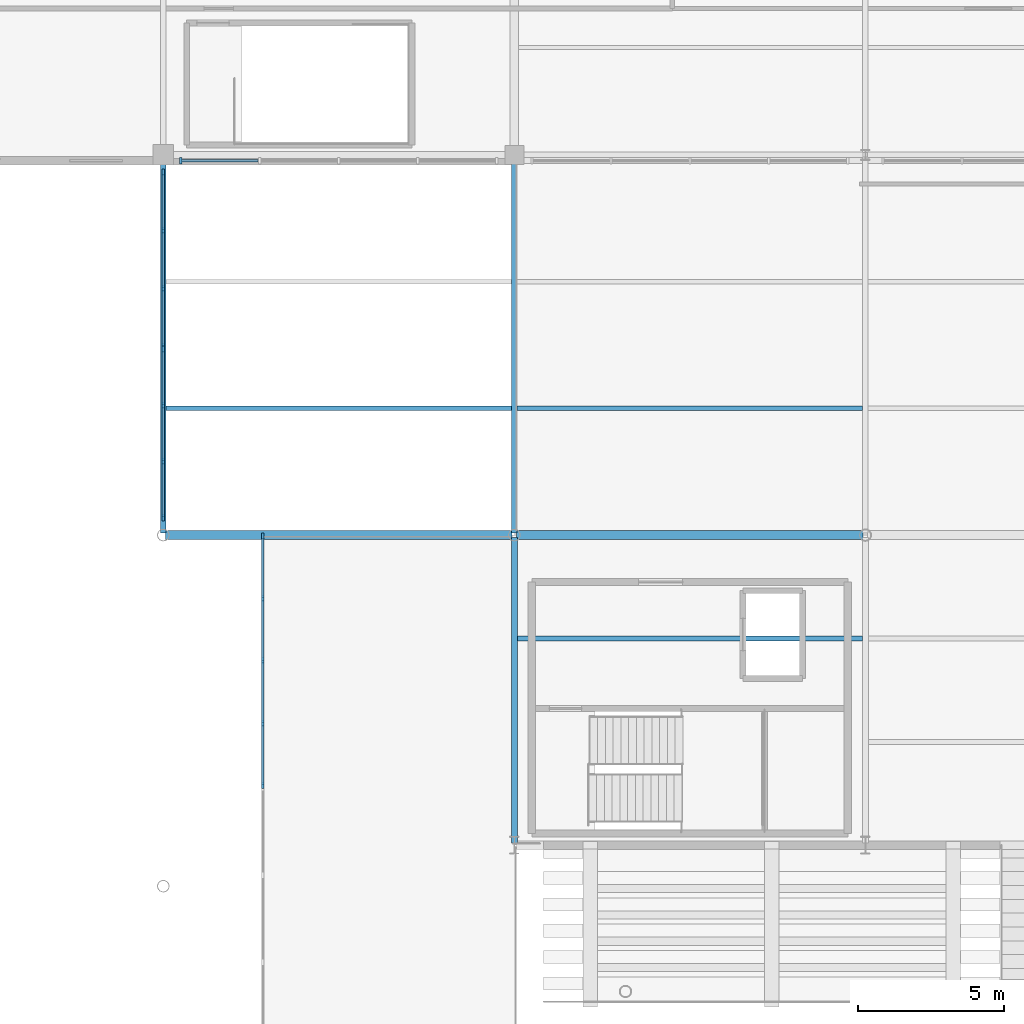
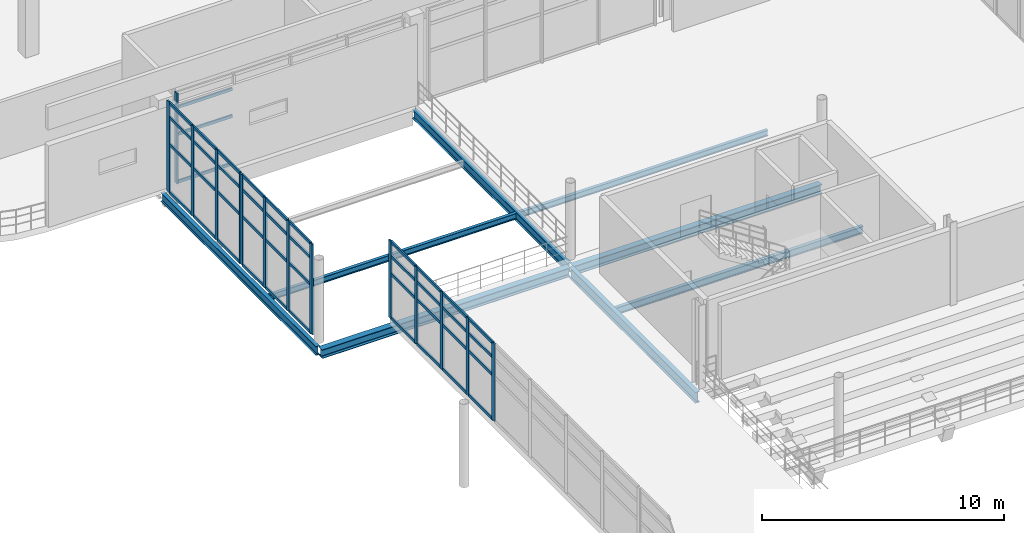
# One storey, part 36 of 89: 57 members, 8 beams, 4 elements without a shape of their own.
"""IFC4 building model written with IfcOpenShell, lengths in metres."""

from ifc_helpers import new_model, si_unit, direction, frame, origin, origin_2d, place, context, subcontext, project, spatial, rectangle, i_section, extrude, material, material_profile, profile_set, type_object, element, aggregate, save


model = new_model("IFC4")

# Units and contexts
model_context = context("Model", 3, precision=1e-05, world=origin(), true_north=direction((0.0, 1.0)))
body_context = subcontext(model_context, "Body", "Model", "MODEL_VIEW")
ifc_project = project(units=[si_unit("LENGTHUNIT", "METRE"), si_unit("AREAUNIT", "SQUARE_METRE"), si_unit("VOLUMEUNIT", "CUBIC_METRE"), si_unit("PLANEANGLEUNIT", "RADIAN"), si_unit("MASSUNIT", "GRAM", prefix="KILO"), si_unit("THERMODYNAMICTEMPERATUREUNIT", "KELVIN"), si_unit("POWERUNIT", "WATT")], contexts=[model_context])

# Site, building, storey
site_placement = place(None, origin())
site = spatial("IfcSite", under=ifc_project, at=site_placement, CompositionType="ELEMENT")
building_placement = place(site_placement, origin())
building = spatial("IfcBuilding", under=site, at=building_placement, Name="Solmara Park Aquatics Centre", CompositionType="ELEMENT")
storey_placement = place(building_placement, frame((0.0, 0.0, 5.39990234375)))
storey = spatial("IfcBuildingStorey", under=building, at=storey_placement, Name="L01", CompositionType="ELEMENT", Elevation=5.39990234375)

# Curtain wall, members
ifc_material_1 = material(Name="Anodised Aluminium Curtain Wall Framing", Category="aluminium")
curtain_wall_type = type_object("IfcCurtainWallType", Name="ARC-CW-SYS05", PredefinedType="USERDEFINED", material=ifc_material_1)
curtain_wall_1_placement = place(storey_placement, origin())
curtain_wall_1 = element("IfcCurtainWall", 1, at=curtain_wall_1_placement, inside=storey, type_object=curtain_wall_type, Name="Curtain Wall CW-020", ObjectType="CURTAIN WALL", PredefinedType="USERDEFINED")
ifc_material_2 = material(Name="Anodised Aluminium Alloy 6063-T6", Category="aluminium")
ifc_material_profile_1 = material_profile(ifc_material_2, rectangle(XDim=0.074951171875, YDim=0.219970703125, at=origin_2d()), Name="ALU MULLION 75x220")
ifc_profile_set_1 = profile_set([ifc_material_profile_1], Name="Anodised Aluminium Alloy 6063-T6")
member_type_1 = type_object("IfcMemberType", Name="ARC-CWM-75x220", PredefinedType="MULLION", material=ifc_profile_set_1)
member_1_placement = place(storey_placement, frame((16.0, 64.0400390625, 0.0), z_axis=(0.0, 0.0, 1.0), x_axis=(1.0, 0.0, 0.0)))
member_1 = element("IfcMember", 2, at=member_1_placement, type_object=member_type_1, Name="CW-020 mullion 1", PredefinedType="MULLION", context=body_context, shape_type="SweptSolid", body=[
    extrude(rectangle(XDim=0.074951171875, YDim=0.219970703125, at=origin_2d()), origin(), (0.0, 0.0, 1.0), 3.900146484375),
])
member_2_placement = place(storey_placement, frame((16.0, 66.169921875, 0.0), z_axis=(0.0, 0.0, 1.0), x_axis=(1.0, 0.0, 0.0)))
member_2 = element("IfcMember", 3, at=member_2_placement, type_object=member_type_1, Name="CW-020 mullion 2", PredefinedType="MULLION", context=body_context, shape_type="SweptSolid", body=[
    extrude(rectangle(XDim=0.074951171875, YDim=0.219970703125, at=origin_2d()), origin(), (0.0, 0.0, 1.0), 3.900146484375),
])
member_3_placement = place(storey_placement, frame((16.0, 68.300048828125, 0.0), z_axis=(0.0, 0.0, 1.0), x_axis=(1.0, 0.0, 0.0)))
member_3 = element("IfcMember", 4, at=member_3_placement, type_object=member_type_1, Name="CW-020 mullion 3", PredefinedType="MULLION", context=body_context, shape_type="SweptSolid", body=[
    extrude(rectangle(XDim=0.074951171875, YDim=0.219970703125, at=origin_2d()), origin(), (0.0, 0.0, 1.0), 3.900146484375),
])
member_4_placement = place(storey_placement, frame((16.0, 70.429931640625, 0.0), z_axis=(0.0, 0.0, 1.0), x_axis=(1.0, 0.0, 0.0)))
member_4 = element("IfcMember", 5, at=member_4_placement, type_object=member_type_1, Name="CW-020 mullion 4", PredefinedType="MULLION", context=body_context, shape_type="SweptSolid", body=[
    extrude(rectangle(XDim=0.074951171875, YDim=0.219970703125, at=origin_2d()), origin(), (0.0, 0.0, 1.0), 3.900146484375),
])
member_5_placement = place(storey_placement, frame((16.0, 72.56005859375, 0.0), z_axis=(0.0, 0.0, 1.0), x_axis=(1.0, 0.0, 0.0)))
member_5 = element("IfcMember", 6, at=member_5_placement, type_object=member_type_1, Name="CW-020 mullion 5", PredefinedType="MULLION", context=body_context, shape_type="SweptSolid", body=[
    extrude(rectangle(XDim=0.074951171875, YDim=0.219970703125, at=origin_2d()), origin(), (0.0, 0.0, 1.0), 3.900146484375),
])

curtain_wall_2_placement = place(storey_placement, origin())
curtain_wall_2 = element("IfcCurtainWall", 7, at=curtain_wall_2_placement, inside=storey, type_object=curtain_wall_type, Name="Curtain Wall CW-099", ObjectType="CURTAIN WALL", PredefinedType="USERDEFINED")
member_6_placement = place(storey_placement, frame((12.60009765625, 73.199951171875, 0.0), z_axis=(0.0, 0.0, 1.0), x_axis=(1.0, 0.0, 0.0)))
member_6 = element("IfcMember", 8, at=member_6_placement, type_object=member_type_1, Name="CW-099 mullion 1", PredefinedType="MULLION", context=body_context, shape_type="SweptSolid", body=[
    extrude(rectangle(XDim=0.074951171875, YDim=0.219970703125, at=origin_2d()), origin(), (0.0, 0.0, 1.0), 4.56005859375),
])
member_7_placement = place(storey_placement, frame((12.60009765625, 75.1201171875, 0.0), z_axis=(0.0, 0.0, 1.0), x_axis=(1.0, 0.0, 0.0)))
member_7 = element("IfcMember", 9, at=member_7_placement, type_object=member_type_1, Name="CW-099 mullion 2", PredefinedType="MULLION", context=body_context, shape_type="SweptSolid", body=[
    extrude(rectangle(XDim=0.074951171875, YDim=0.219970703125, at=origin_2d()), origin(), (0.0, 0.0, 1.0), 4.56005859375),
])
member_8_placement = place(storey_placement, frame((12.60009765625, 77.0400390625, 0.0), z_axis=(0.0, 0.0, 1.0), x_axis=(1.0, 0.0, 0.0)))
member_8 = element("IfcMember", 10, at=member_8_placement, type_object=member_type_1, Name="CW-099 mullion 3", PredefinedType="MULLION", context=body_context, shape_type="SweptSolid", body=[
    extrude(rectangle(XDim=0.074951171875, YDim=0.219970703125, at=origin_2d()), origin(), (0.0, 0.0, 1.0), 4.56005859375),
])
member_9_placement = place(storey_placement, frame((12.60009765625, 78.9599609375, 0.0), z_axis=(0.0, 0.0, 1.0), x_axis=(1.0, 0.0, 0.0)))
member_9 = element("IfcMember", 11, at=member_9_placement, type_object=member_type_1, Name="CW-099 mullion 4", PredefinedType="MULLION", context=body_context, shape_type="SweptSolid", body=[
    extrude(rectangle(XDim=0.074951171875, YDim=0.219970703125, at=origin_2d()), origin(), (0.0, 0.0, 1.0), 4.56005859375),
])

curtain_wall_3_placement = place(storey_placement, origin())
curtain_wall_3 = element("IfcCurtainWall", 12, at=curtain_wall_3_placement, inside=storey, type_object=curtain_wall_type, Name="Curtain Wall CW-103", ObjectType="CURTAIN WALL", PredefinedType="USERDEFINED")
member_10_placement = place(storey_placement, frame((12.60009765625, 79.0400390625, 0.0), z_axis=(0.0, 0.0, 1.0), x_axis=(1.0, 0.0, 0.0)))
member_10 = element("IfcMember", 13, at=member_10_placement, type_object=member_type_1, Name="CW-103 mullion 1", PredefinedType="MULLION", context=body_context, shape_type="SweptSolid", body=[
    extrude(rectangle(XDim=0.074951171875, YDim=0.219970703125, at=origin_2d()), origin(), (0.0, 0.0, 1.0), 4.56005859375),
])
member_11_placement = place(storey_placement, frame((12.60009765625, 81.026611328125, 0.0), z_axis=(0.0, 0.0, 1.0), x_axis=(1.0, 0.0, 0.0)))
member_11 = element("IfcMember", 14, at=member_11_placement, type_object=member_type_1, Name="CW-103 mullion 2", PredefinedType="MULLION", context=body_context, shape_type="SweptSolid", body=[
    extrude(rectangle(XDim=0.074951171875, YDim=0.219970703125, at=origin_2d()), origin(), (0.0, 0.0, 1.0), 4.56005859375),
])
member_12_placement = place(storey_placement, frame((12.60009765625, 83.01318359375, 0.0), z_axis=(0.0, 0.0, 1.0), x_axis=(1.0, 0.0, 0.0)))
member_12 = element("IfcMember", 15, at=member_12_placement, type_object=member_type_1, Name="CW-103 mullion 3", PredefinedType="MULLION", context=body_context, shape_type="SweptSolid", body=[
    extrude(rectangle(XDim=0.074951171875, YDim=0.219970703125, at=origin_2d()), origin(), (0.0, 0.0, 1.0), 4.56005859375),
])
member_13_placement = place(storey_placement, frame((12.60009765625, 85.0, 0.0), z_axis=(0.0, 0.0, 1.0), x_axis=(1.0, 0.0, 0.0)))
member_13 = element("IfcMember", 16, at=member_13_placement, type_object=member_type_1, Name="CW-103 mullion 4", PredefinedType="MULLION", context=body_context, shape_type="SweptSolid", body=[
    extrude(rectangle(XDim=0.074951171875, YDim=0.219970703125, at=origin_2d()), origin(), (0.0, 0.0, 1.0), 4.56005859375),
])

# Curtain wall, member
curtain_wall_4_placement = place(storey_placement, origin())
curtain_wall_4 = element("IfcCurtainWall", 17, at=curtain_wall_4_placement, inside=storey, type_object=curtain_wall_type, Name="Curtain Wall CW-104", ObjectType="CURTAIN WALL", PredefinedType="USERDEFINED")
member_14_placement = place(storey_placement, frame((13.199951171875, 85.39990234375, 0.0), z_axis=(0.0, 0.0, 1.0), x_axis=(1.0, 0.0, 0.0)))
member_14 = element("IfcMember", 18, at=member_14_placement, type_object=member_type_1, Name="CW-104 mullion 1", PredefinedType="MULLION", context=body_context, shape_type="SweptSolid", body=[
    extrude(rectangle(XDim=0.074951171875, YDim=0.219970703125, at=origin_2d()), origin(), (0.0, 0.0, 1.0), 4.56005859375),
])

# Member
ifc_material_profile_2 = material_profile(ifc_material_2, rectangle(XDim=0.074951171875, YDim=0.14990234375, at=origin_2d()), Name="ALU TRANSOM 75x150")
ifc_profile_set_2 = profile_set([ifc_material_profile_2], Name="Anodised Aluminium Alloy 6063-T6")
member_type_2 = type_object("IfcMemberType", Name="ARC-CWT-75x150", PredefinedType="USERDEFINED", material=ifc_profile_set_2)
member_15_placement = place(storey_placement, frame((16.0, 64.06005859375, 0.0400390625), z_axis=(0.0, 1.0, 0.0), x_axis=(-1.0, 0.0, 0.0)))
member_15 = element("IfcMember", 19, at=member_15_placement, type_object=member_type_2, Name="CW-020 transom 1", ObjectType="TRANSOM", PredefinedType="USERDEFINED", context=body_context, shape_type="SweptSolid", body=[
    extrude(rectangle(XDim=0.074951171875, YDim=0.14990234375, at=origin_2d()), origin(), (0.0, 0.0, 1.0), 2.050048828125),
])

member_16_placement = place(storey_placement, frame((16.0, 64.06005859375, 2.26220703125), z_axis=(0.0, 1.0, 0.0), x_axis=(-1.0, 0.0, 0.0)))
member_16 = element("IfcMember", 20, at=member_16_placement, type_object=member_type_2, Name="CW-020 transom 2", ObjectType="TRANSOM", PredefinedType="USERDEFINED", context=body_context, shape_type="SweptSolid", body=[
    extrude(rectangle(XDim=0.074951171875, YDim=0.14990234375, at=origin_2d()), origin(), (0.0, 0.0, 1.0), 2.050048828125),
])

member_17_placement = place(storey_placement, frame((16.0, 64.06005859375, 3.150146484375), z_axis=(0.0, 1.0, 0.0), x_axis=(-1.0, 0.0, 0.0)))
member_17 = element("IfcMember", 21, at=member_17_placement, type_object=member_type_2, Name="CW-020 transom 3", ObjectType="TRANSOM", PredefinedType="USERDEFINED", context=body_context, shape_type="SweptSolid", body=[
    extrude(rectangle(XDim=0.074951171875, YDim=0.14990234375, at=origin_2d()), origin(), (0.0, 0.0, 1.0), 2.050048828125),
])

member_18_placement = place(storey_placement, frame((16.0, 64.06005859375, 3.860107421875), z_axis=(0.0, 1.0, 0.0), x_axis=(-1.0, 0.0, 0.0)))
member_18 = element("IfcMember", 22, at=member_18_placement, type_object=member_type_2, Name="CW-020 transom 4", ObjectType="TRANSOM", PredefinedType="USERDEFINED", context=body_context, shape_type="SweptSolid", body=[
    extrude(rectangle(XDim=0.074951171875, YDim=0.14990234375, at=origin_2d()), origin(), (0.0, 0.0, 1.0), 2.050048828125),
])

member_19_placement = place(storey_placement, frame((16.0, 66.18994140625, 0.0400390625), z_axis=(0.0, 1.0, 0.0), x_axis=(-1.0, 0.0, 0.0)))
member_19 = element("IfcMember", 23, at=member_19_placement, type_object=member_type_2, Name="CW-020 transom 5", ObjectType="TRANSOM", PredefinedType="USERDEFINED", context=body_context, shape_type="SweptSolid", body=[
    extrude(rectangle(XDim=0.074951171875, YDim=0.14990234375, at=origin_2d()), origin(), (0.0, 0.0, 1.0), 2.050048828125),
])

member_20_placement = place(storey_placement, frame((16.0, 66.18994140625, 2.26220703125), z_axis=(0.0, 1.0, 0.0), x_axis=(-1.0, 0.0, 0.0)))
member_20 = element("IfcMember", 24, at=member_20_placement, type_object=member_type_2, Name="CW-020 transom 6", ObjectType="TRANSOM", PredefinedType="USERDEFINED", context=body_context, shape_type="SweptSolid", body=[
    extrude(rectangle(XDim=0.074951171875, YDim=0.14990234375, at=origin_2d()), origin(), (0.0, 0.0, 1.0), 2.050048828125),
])

member_21_placement = place(storey_placement, frame((16.0, 66.18994140625, 3.150146484375), z_axis=(0.0, 1.0, 0.0), x_axis=(-1.0, 0.0, 0.0)))
member_21 = element("IfcMember", 25, at=member_21_placement, type_object=member_type_2, Name="CW-020 transom 7", ObjectType="TRANSOM", PredefinedType="USERDEFINED", context=body_context, shape_type="SweptSolid", body=[
    extrude(rectangle(XDim=0.074951171875, YDim=0.14990234375, at=origin_2d()), origin(), (0.0, 0.0, 1.0), 2.050048828125),
])

member_22_placement = place(storey_placement, frame((16.0, 66.18994140625, 3.860107421875), z_axis=(0.0, 1.0, 0.0), x_axis=(-1.0, 0.0, 0.0)))
member_22 = element("IfcMember", 26, at=member_22_placement, type_object=member_type_2, Name="CW-020 transom 8", ObjectType="TRANSOM", PredefinedType="USERDEFINED", context=body_context, shape_type="SweptSolid", body=[
    extrude(rectangle(XDim=0.074951171875, YDim=0.14990234375, at=origin_2d()), origin(), (0.0, 0.0, 1.0), 2.050048828125),
])

member_23_placement = place(storey_placement, frame((16.0, 68.320068359375, 0.0400390625), z_axis=(0.0, 1.0, 0.0), x_axis=(-1.0, 0.0, 0.0)))
member_23 = element("IfcMember", 27, at=member_23_placement, type_object=member_type_2, Name="CW-020 transom 9", ObjectType="TRANSOM", PredefinedType="USERDEFINED", context=body_context, shape_type="SweptSolid", body=[
    extrude(rectangle(XDim=0.074951171875, YDim=0.14990234375, at=origin_2d()), origin(), (0.0, 0.0, 1.0), 2.050048828125),
])

member_24_placement = place(storey_placement, frame((16.0, 68.320068359375, 2.26220703125), z_axis=(0.0, 1.0, 0.0), x_axis=(-1.0, 0.0, 0.0)))
member_24 = element("IfcMember", 28, at=member_24_placement, type_object=member_type_2, Name="CW-020 transom 10", ObjectType="TRANSOM", PredefinedType="USERDEFINED", context=body_context, shape_type="SweptSolid", body=[
    extrude(rectangle(XDim=0.074951171875, YDim=0.14990234375, at=origin_2d()), origin(), (0.0, 0.0, 1.0), 2.050048828125),
])

member_25_placement = place(storey_placement, frame((16.0, 68.320068359375, 3.150146484375), z_axis=(0.0, 1.0, 0.0), x_axis=(-1.0, 0.0, 0.0)))
member_25 = element("IfcMember", 29, at=member_25_placement, type_object=member_type_2, Name="CW-020 transom 11", ObjectType="TRANSOM", PredefinedType="USERDEFINED", context=body_context, shape_type="SweptSolid", body=[
    extrude(rectangle(XDim=0.074951171875, YDim=0.14990234375, at=origin_2d()), origin(), (0.0, 0.0, 1.0), 2.050048828125),
])

member_26_placement = place(storey_placement, frame((16.0, 68.320068359375, 3.860107421875), z_axis=(0.0, 1.0, 0.0), x_axis=(-1.0, 0.0, 0.0)))
member_26 = element("IfcMember", 30, at=member_26_placement, type_object=member_type_2, Name="CW-020 transom 12", ObjectType="TRANSOM", PredefinedType="USERDEFINED", context=body_context, shape_type="SweptSolid", body=[
    extrude(rectangle(XDim=0.074951171875, YDim=0.14990234375, at=origin_2d()), origin(), (0.0, 0.0, 1.0), 2.050048828125),
])

member_27_placement = place(storey_placement, frame((16.0, 70.449951171875, 0.0400390625), z_axis=(0.0, 1.0, 0.0), x_axis=(-1.0, 0.0, 0.0)))
member_27 = element("IfcMember", 31, at=member_27_placement, type_object=member_type_2, Name="CW-020 transom 13", ObjectType="TRANSOM", PredefinedType="USERDEFINED", context=body_context, shape_type="SweptSolid", body=[
    extrude(rectangle(XDim=0.074951171875, YDim=0.14990234375, at=origin_2d()), origin(), (0.0, 0.0, 1.0), 2.050048828125),
])

member_28_placement = place(storey_placement, frame((16.0, 70.449951171875, 2.26220703125), z_axis=(0.0, 1.0, 0.0), x_axis=(-1.0, 0.0, 0.0)))
member_28 = element("IfcMember", 32, at=member_28_placement, type_object=member_type_2, Name="CW-020 transom 14", ObjectType="TRANSOM", PredefinedType="USERDEFINED", context=body_context, shape_type="SweptSolid", body=[
    extrude(rectangle(XDim=0.074951171875, YDim=0.14990234375, at=origin_2d()), origin(), (0.0, 0.0, 1.0), 2.050048828125),
])

member_29_placement = place(storey_placement, frame((16.0, 70.449951171875, 3.150146484375), z_axis=(0.0, 1.0, 0.0), x_axis=(-1.0, 0.0, 0.0)))
member_29 = element("IfcMember", 33, at=member_29_placement, type_object=member_type_2, Name="CW-020 transom 15", ObjectType="TRANSOM", PredefinedType="USERDEFINED", context=body_context, shape_type="SweptSolid", body=[
    extrude(rectangle(XDim=0.074951171875, YDim=0.14990234375, at=origin_2d()), origin(), (0.0, 0.0, 1.0), 2.050048828125),
])

member_30_placement = place(storey_placement, frame((16.0, 70.449951171875, 3.860107421875), z_axis=(0.0, 1.0, 0.0), x_axis=(-1.0, 0.0, 0.0)))
member_30 = element("IfcMember", 34, at=member_30_placement, type_object=member_type_2, Name="CW-020 transom 16", ObjectType="TRANSOM", PredefinedType="USERDEFINED", context=body_context, shape_type="SweptSolid", body=[
    extrude(rectangle(XDim=0.074951171875, YDim=0.14990234375, at=origin_2d()), origin(), (0.0, 0.0, 1.0), 2.050048828125),
])

aggregate(curtain_wall_1, [member_1, member_2, member_3, member_4, member_5, member_15, member_16, member_17, member_18, member_19, member_20, member_21, member_22, member_23, member_24, member_25, member_26, member_27, member_28, member_29, member_30])

member_31_placement = place(storey_placement, frame((12.60009765625, 73.219970703125, 0.0400390625), z_axis=(0.0, 1.0, 0.0), x_axis=(-1.0, 0.0, 0.0)))
member_31 = element("IfcMember", 35, at=member_31_placement, type_object=member_type_2, Name="CW-099 transom 1", ObjectType="TRANSOM", PredefinedType="USERDEFINED", context=body_context, shape_type="SweptSolid", body=[
    extrude(rectangle(XDim=0.074951171875, YDim=0.14990234375, at=origin_2d()), origin(), (0.0, 0.0, 1.0), 1.840087890625),
])

member_32_placement = place(storey_placement, frame((12.60009765625, 73.219970703125, 2.4501953125), z_axis=(0.0, 1.0, 0.0), x_axis=(-1.0, 0.0, 0.0)))
member_32 = element("IfcMember", 36, at=member_32_placement, type_object=member_type_2, Name="CW-099 transom 2", ObjectType="TRANSOM", PredefinedType="USERDEFINED", context=body_context, shape_type="SweptSolid", body=[
    extrude(rectangle(XDim=0.074951171875, YDim=0.14990234375, at=origin_2d()), origin(), (0.0, 0.0, 1.0), 1.840087890625),
])

member_33_placement = place(storey_placement, frame((12.60009765625, 73.219970703125, 3.81005859375), z_axis=(0.0, 1.0, 0.0), x_axis=(-1.0, 0.0, 0.0)))
member_33 = element("IfcMember", 37, at=member_33_placement, type_object=member_type_2, Name="CW-099 transom 3", ObjectType="TRANSOM", PredefinedType="USERDEFINED", context=body_context, shape_type="SweptSolid", body=[
    extrude(rectangle(XDim=0.074951171875, YDim=0.14990234375, at=origin_2d()), origin(), (0.0, 0.0, 1.0), 1.840087890625),
])

member_34_placement = place(storey_placement, frame((12.60009765625, 73.219970703125, 4.52001953125), z_axis=(0.0, 1.0, 0.0), x_axis=(-1.0, 0.0, 0.0)))
member_34 = element("IfcMember", 38, at=member_34_placement, type_object=member_type_2, Name="CW-099 transom 4", ObjectType="TRANSOM", PredefinedType="USERDEFINED", context=body_context, shape_type="SweptSolid", body=[
    extrude(rectangle(XDim=0.074951171875, YDim=0.14990234375, at=origin_2d()), origin(), (0.0, 0.0, 1.0), 1.840087890625),
])

member_35_placement = place(storey_placement, frame((12.60009765625, 75.139892578125, 0.0400390625), z_axis=(0.0, 1.0, 0.0), x_axis=(-1.0, 0.0, 0.0)))
member_35 = element("IfcMember", 39, at=member_35_placement, type_object=member_type_2, Name="CW-099 transom 5", ObjectType="TRANSOM", PredefinedType="USERDEFINED", context=body_context, shape_type="SweptSolid", body=[
    extrude(rectangle(XDim=0.074951171875, YDim=0.14990234375, at=origin_2d()), origin(), (0.0, 0.0, 1.0), 1.840087890625),
])

member_36_placement = place(storey_placement, frame((12.60009765625, 75.139892578125, 2.4501953125), z_axis=(0.0, 1.0, 0.0), x_axis=(-1.0, 0.0, 0.0)))
member_36 = element("IfcMember", 40, at=member_36_placement, type_object=member_type_2, Name="CW-099 transom 6", ObjectType="TRANSOM", PredefinedType="USERDEFINED", context=body_context, shape_type="SweptSolid", body=[
    extrude(rectangle(XDim=0.074951171875, YDim=0.14990234375, at=origin_2d()), origin(), (0.0, 0.0, 1.0), 1.840087890625),
])

member_37_placement = place(storey_placement, frame((12.60009765625, 75.139892578125, 3.81005859375), z_axis=(0.0, 1.0, 0.0), x_axis=(-1.0, 0.0, 0.0)))
member_37 = element("IfcMember", 41, at=member_37_placement, type_object=member_type_2, Name="CW-099 transom 7", ObjectType="TRANSOM", PredefinedType="USERDEFINED", context=body_context, shape_type="SweptSolid", body=[
    extrude(rectangle(XDim=0.074951171875, YDim=0.14990234375, at=origin_2d()), origin(), (0.0, 0.0, 1.0), 1.840087890625),
])

member_38_placement = place(storey_placement, frame((12.60009765625, 75.139892578125, 4.52001953125), z_axis=(0.0, 1.0, 0.0), x_axis=(-1.0, 0.0, 0.0)))
member_38 = element("IfcMember", 42, at=member_38_placement, type_object=member_type_2, Name="CW-099 transom 8", ObjectType="TRANSOM", PredefinedType="USERDEFINED", context=body_context, shape_type="SweptSolid", body=[
    extrude(rectangle(XDim=0.074951171875, YDim=0.14990234375, at=origin_2d()), origin(), (0.0, 0.0, 1.0), 1.840087890625),
])

member_39_placement = place(storey_placement, frame((12.60009765625, 77.06005859375, 0.0400390625), z_axis=(0.0, 1.0, 0.0), x_axis=(-1.0, 0.0, 0.0)))
member_39 = element("IfcMember", 43, at=member_39_placement, type_object=member_type_2, Name="CW-099 transom 9", ObjectType="TRANSOM", PredefinedType="USERDEFINED", context=body_context, shape_type="SweptSolid", body=[
    extrude(rectangle(XDim=0.074951171875, YDim=0.14990234375, at=origin_2d()), origin(), (0.0, 0.0, 1.0), 1.83984375),
])

member_40_placement = place(storey_placement, frame((12.60009765625, 77.06005859375, 2.4501953125), z_axis=(0.0, 1.0, 0.0), x_axis=(-1.0, 0.0, 0.0)))
member_40 = element("IfcMember", 44, at=member_40_placement, type_object=member_type_2, Name="CW-099 transom 10", ObjectType="TRANSOM", PredefinedType="USERDEFINED", context=body_context, shape_type="SweptSolid", body=[
    extrude(rectangle(XDim=0.074951171875, YDim=0.14990234375, at=origin_2d()), origin(), (0.0, 0.0, 1.0), 1.83984375),
])

member_41_placement = place(storey_placement, frame((12.60009765625, 77.06005859375, 3.81005859375), z_axis=(0.0, 1.0, 0.0), x_axis=(-1.0, 0.0, 0.0)))
member_41 = element("IfcMember", 45, at=member_41_placement, type_object=member_type_2, Name="CW-099 transom 11", ObjectType="TRANSOM", PredefinedType="USERDEFINED", context=body_context, shape_type="SweptSolid", body=[
    extrude(rectangle(XDim=0.074951171875, YDim=0.14990234375, at=origin_2d()), origin(), (0.0, 0.0, 1.0), 1.83984375),
])

member_42_placement = place(storey_placement, frame((12.60009765625, 77.06005859375, 4.52001953125), z_axis=(0.0, 1.0, 0.0), x_axis=(-1.0, 0.0, 0.0)))
member_42 = element("IfcMember", 46, at=member_42_placement, type_object=member_type_2, Name="CW-099 transom 12", ObjectType="TRANSOM", PredefinedType="USERDEFINED", context=body_context, shape_type="SweptSolid", body=[
    extrude(rectangle(XDim=0.074951171875, YDim=0.14990234375, at=origin_2d()), origin(), (0.0, 0.0, 1.0), 1.83984375),
])

aggregate(curtain_wall_2, [member_6, member_7, member_8, member_9, member_31, member_32, member_33, member_34, member_35, member_36, member_37, member_38, member_39, member_40, member_41, member_42])

member_43_placement = place(storey_placement, frame((12.60009765625, 79.06005859375, 0.0400390625), z_axis=(0.0, 1.0, 0.0), x_axis=(-1.0, 0.0, 0.0)))
member_43 = element("IfcMember", 47, at=member_43_placement, type_object=member_type_2, Name="CW-103 transom 1", ObjectType="TRANSOM", PredefinedType="USERDEFINED", context=body_context, shape_type="SweptSolid", body=[
    extrude(rectangle(XDim=0.074951171875, YDim=0.14990234375, at=origin_2d()), origin(), (0.0, 0.0, 1.0), 1.90673828125),
])

member_44_placement = place(storey_placement, frame((12.60009765625, 79.06005859375, 2.4501953125), z_axis=(0.0, 1.0, 0.0), x_axis=(-1.0, 0.0, 0.0)))
member_44 = element("IfcMember", 48, at=member_44_placement, type_object=member_type_2, Name="CW-103 transom 2", ObjectType="TRANSOM", PredefinedType="USERDEFINED", context=body_context, shape_type="SweptSolid", body=[
    extrude(rectangle(XDim=0.074951171875, YDim=0.14990234375, at=origin_2d()), origin(), (0.0, 0.0, 1.0), 1.90673828125),
])

member_45_placement = place(storey_placement, frame((12.60009765625, 79.06005859375, 3.81005859375), z_axis=(0.0, 1.0, 0.0), x_axis=(-1.0, 0.0, 0.0)))
member_45 = element("IfcMember", 49, at=member_45_placement, type_object=member_type_2, Name="CW-103 transom 3", ObjectType="TRANSOM", PredefinedType="USERDEFINED", context=body_context, shape_type="SweptSolid", body=[
    extrude(rectangle(XDim=0.074951171875, YDim=0.14990234375, at=origin_2d()), origin(), (0.0, 0.0, 1.0), 1.90673828125),
])

member_46_placement = place(storey_placement, frame((12.60009765625, 79.06005859375, 4.52001953125), z_axis=(0.0, 1.0, 0.0), x_axis=(-1.0, 0.0, 0.0)))
member_46 = element("IfcMember", 50, at=member_46_placement, type_object=member_type_2, Name="CW-103 transom 4", ObjectType="TRANSOM", PredefinedType="USERDEFINED", context=body_context, shape_type="SweptSolid", body=[
    extrude(rectangle(XDim=0.074951171875, YDim=0.14990234375, at=origin_2d()), origin(), (0.0, 0.0, 1.0), 1.90673828125),
])

member_47_placement = place(storey_placement, frame((12.60009765625, 81.046630859375, 0.0400390625), z_axis=(0.0, 1.0, 0.0), x_axis=(-1.0, 0.0, 0.0)))
member_47 = element("IfcMember", 51, at=member_47_placement, type_object=member_type_2, Name="CW-103 transom 5", ObjectType="TRANSOM", PredefinedType="USERDEFINED", context=body_context, shape_type="SweptSolid", body=[
    extrude(rectangle(XDim=0.074951171875, YDim=0.14990234375, at=origin_2d()), origin(), (0.0, 0.0, 1.0), 1.90673828125),
])

member_48_placement = place(storey_placement, frame((12.60009765625, 81.046630859375, 2.4501953125), z_axis=(0.0, 1.0, 0.0), x_axis=(-1.0, 0.0, 0.0)))
member_48 = element("IfcMember", 52, at=member_48_placement, type_object=member_type_2, Name="CW-103 transom 6", ObjectType="TRANSOM", PredefinedType="USERDEFINED", context=body_context, shape_type="SweptSolid", body=[
    extrude(rectangle(XDim=0.074951171875, YDim=0.14990234375, at=origin_2d()), origin(), (0.0, 0.0, 1.0), 1.90673828125),
])

member_49_placement = place(storey_placement, frame((12.60009765625, 81.046630859375, 3.81005859375), z_axis=(0.0, 1.0, 0.0), x_axis=(-1.0, 0.0, 0.0)))
member_49 = element("IfcMember", 53, at=member_49_placement, type_object=member_type_2, Name="CW-103 transom 7", ObjectType="TRANSOM", PredefinedType="USERDEFINED", context=body_context, shape_type="SweptSolid", body=[
    extrude(rectangle(XDim=0.074951171875, YDim=0.14990234375, at=origin_2d()), origin(), (0.0, 0.0, 1.0), 1.90673828125),
])

member_50_placement = place(storey_placement, frame((12.60009765625, 81.046630859375, 4.52001953125), z_axis=(0.0, 1.0, 0.0), x_axis=(-1.0, 0.0, 0.0)))
member_50 = element("IfcMember", 54, at=member_50_placement, type_object=member_type_2, Name="CW-103 transom 8", ObjectType="TRANSOM", PredefinedType="USERDEFINED", context=body_context, shape_type="SweptSolid", body=[
    extrude(rectangle(XDim=0.074951171875, YDim=0.14990234375, at=origin_2d()), origin(), (0.0, 0.0, 1.0), 1.90673828125),
])

member_51_placement = place(storey_placement, frame((12.60009765625, 83.033203125, 0.0400390625), z_axis=(0.0, 1.0, 0.0), x_axis=(-1.0, 0.0, 0.0)))
member_51 = element("IfcMember", 55, at=member_51_placement, type_object=member_type_2, Name="CW-103 transom 9", ObjectType="TRANSOM", PredefinedType="USERDEFINED", context=body_context, shape_type="SweptSolid", body=[
    extrude(rectangle(XDim=0.074951171875, YDim=0.14990234375, at=origin_2d()), origin(), (0.0, 0.0, 1.0), 1.90673828125),
])

member_52_placement = place(storey_placement, frame((12.60009765625, 83.033203125, 2.4501953125), z_axis=(0.0, 1.0, 0.0), x_axis=(-1.0, 0.0, 0.0)))
member_52 = element("IfcMember", 56, at=member_52_placement, type_object=member_type_2, Name="CW-103 transom 10", ObjectType="TRANSOM", PredefinedType="USERDEFINED", context=body_context, shape_type="SweptSolid", body=[
    extrude(rectangle(XDim=0.074951171875, YDim=0.14990234375, at=origin_2d()), origin(), (0.0, 0.0, 1.0), 1.90673828125),
])

member_53_placement = place(storey_placement, frame((12.60009765625, 83.033203125, 3.81005859375), z_axis=(0.0, 1.0, 0.0), x_axis=(-1.0, 0.0, 0.0)))
member_53 = element("IfcMember", 57, at=member_53_placement, type_object=member_type_2, Name="CW-103 transom 11", ObjectType="TRANSOM", PredefinedType="USERDEFINED", context=body_context, shape_type="SweptSolid", body=[
    extrude(rectangle(XDim=0.074951171875, YDim=0.14990234375, at=origin_2d()), origin(), (0.0, 0.0, 1.0), 1.90673828125),
])

member_54_placement = place(storey_placement, frame((12.60009765625, 83.033203125, 4.52001953125), z_axis=(0.0, 1.0, 0.0), x_axis=(-1.0, 0.0, 0.0)))
member_54 = element("IfcMember", 58, at=member_54_placement, type_object=member_type_2, Name="CW-103 transom 12", ObjectType="TRANSOM", PredefinedType="USERDEFINED", context=body_context, shape_type="SweptSolid", body=[
    extrude(rectangle(XDim=0.074951171875, YDim=0.14990234375, at=origin_2d()), origin(), (0.0, 0.0, 1.0), 1.90673828125),
])

aggregate(curtain_wall_3, [member_10, member_11, member_12, member_13, member_43, member_44, member_45, member_46, member_47, member_48, member_49, member_50, member_51, member_52, member_53, member_54])

member_55_placement = place(storey_placement, frame((13.219970703125, 85.39990234375, 0.0400390625), z_axis=(1.0, 0.0, 0.0), x_axis=(0.0, 1.0, 0.0)))
member_55 = element("IfcMember", 59, at=member_55_placement, type_object=member_type_2, Name="CW-104 transom 1", ObjectType="TRANSOM", PredefinedType="USERDEFINED", context=body_context, shape_type="SweptSolid", body=[
    extrude(rectangle(XDim=0.074951171875, YDim=0.14990234375, at=origin_2d()), origin(), (0.0, 0.0, 1.0), 2.6201171875),
])

member_56_placement = place(storey_placement, frame((13.219970703125, 85.39990234375, 2.4501953125), z_axis=(1.0, 0.0, 0.0), x_axis=(0.0, 1.0, 0.0)))
member_56 = element("IfcMember", 60, at=member_56_placement, type_object=member_type_2, Name="CW-104 transom 2", ObjectType="TRANSOM", PredefinedType="USERDEFINED", context=body_context, shape_type="SweptSolid", body=[
    extrude(rectangle(XDim=0.074951171875, YDim=0.14990234375, at=origin_2d()), origin(), (0.0, 0.0, 1.0), 2.6201171875),
])

member_57_placement = place(storey_placement, frame((13.219970703125, 85.39990234375, 3.81005859375), z_axis=(1.0, 0.0, 0.0), x_axis=(0.0, 1.0, 0.0)))
member_57 = element("IfcMember", 61, at=member_57_placement, type_object=member_type_2, Name="CW-104 transom 3", ObjectType="TRANSOM", PredefinedType="USERDEFINED", context=body_context, shape_type="SweptSolid", body=[
    extrude(rectangle(XDim=0.074951171875, YDim=0.14990234375, at=origin_2d()), origin(), (0.0, 0.0, 1.0), 2.6201171875),
])

aggregate(curtain_wall_4, [member_14, member_55, member_56, member_57])

# Beams
ifc_material_3 = material(Name="Structural Steel S355", Category="steel")
ifc_material_profile_3 = material_profile(ifc_material_3, i_section(OverallWidth=0.300048828125, OverallDepth=0.449951171875, WebThickness=0.013916015625, FlangeThickness=0.02587890625, FilletRadius=0.027099609375, at=origin_2d()), Name="HEB 450")
ifc_profile_set_3 = profile_set([ifc_material_profile_3], Name="Structural Steel S355")
beam_type_1 = type_object("IfcBeamType", Name="STR-BM-HEB450", PredefinedType="BEAM", material=ifc_profile_set_3)
for number, where, z_axis, x_axis, name in (
    (62, (12.679931640625, 72.60009765625, -0.625), (1.0, 0.0, 0.0), (0.0, 1.0, 0.0), "Girder BM-L01-0182"),
    (63, (24.679931640625, 72.60009765625, -0.625), (1.0, 0.0, 0.0), (0.0, 1.0, 0.0), "Girder BM-L01-0183"),
):
    element("IfcBeam", number, at=place(storey_placement, frame(where, z_axis=z_axis, x_axis=x_axis)), inside=storey, type_object=beam_type_1, Name=name, PredefinedType="BEAM", context=body_context, shape_type="SweptSolid", body=[
        extrude(i_section(OverallWidth=0.300048828125, OverallDepth=0.449951171875, WebThickness=0.013916015625, FlangeThickness=0.02587890625, FilletRadius=0.027099609375, at=origin_2d()), origin(), (0.0, 0.0, 1.0), 11.840087890625),
    ])
ifc_material_profile_4 = material_profile(ifc_material_3, i_section(OverallWidth=0.18994140625, OverallDepth=0.449951171875, WebThickness=0.009521484375, FlangeThickness=0.0146484375, FilletRadius=0.02099609375, at=origin_2d()), Name="IPE 450")
ifc_profile_set_4 = profile_set([ifc_material_profile_4], Name="Structural Steel S355")
beam_type_2 = type_object("IfcBeamType", Name="STR-BM-IPE450", PredefinedType="BEAM", material=ifc_profile_set_4)
for number, where, z_axis, x_axis, name in (
    (64, (12.60009765625, 72.679931640625, -0.544921875), (0.0, 1.0, 0.0), (-1.0, 0.0, 0.0), "Girder BM-L01-0276"),
    (65, (24.60009765625, 72.679931640625, -0.544921875), (0.0, 1.0, 0.0), (-1.0, 0.0, 0.0), "Girder BM-L01-0279"),
):
    element("IfcBeam", number, at=place(storey_placement, frame(where, z_axis=z_axis, x_axis=x_axis)), inside=storey, type_object=beam_type_2, Name=name, PredefinedType="BEAM", context=body_context, shape_type="SweptSolid", body=[
        extrude(i_section(OverallWidth=0.18994140625, OverallDepth=0.449951171875, WebThickness=0.009521484375, FlangeThickness=0.0146484375, FilletRadius=0.02099609375, at=origin_2d()), origin(), (0.0, 0.0, 1.0), 12.840087890625),
    ])
ifc_material_profile_5 = material_profile(ifc_material_3, i_section(OverallWidth=0.2099609375, OverallDepth=0.550048828125, WebThickness=0.010986328125, FlangeThickness=0.01708984375, FilletRadius=0.02392578125, at=origin_2d()), Name="IPE 550")
ifc_profile_set_5 = profile_set([ifc_material_profile_5], Name="Structural Steel S355")
beam_type_3 = type_object("IfcBeamType", Name="STR-BM-IPE550", PredefinedType="BEAM", material=ifc_profile_set_5)
beam_1_placement = place(storey_placement, frame((24.60009765625, 62.080078125, -0.6748046875), z_axis=(0.0, 1.0, 0.0), x_axis=(-1.0, 0.0, 0.0)))
element("IfcBeam", 66, at=beam_1_placement, inside=storey, type_object=beam_type_3, Name="Girder BM-L01-0190", PredefinedType="BEAM", context=body_context, shape_type="SweptSolid", body=[
    extrude(i_section(OverallWidth=0.2099609375, OverallDepth=0.550048828125, WebThickness=0.010986328125, FlangeThickness=0.01708984375, FilletRadius=0.02392578125, at=origin_2d()), origin(), (0.0, 0.0, 1.0), 10.43994140625),
])
ifc_material_profile_6 = material_profile(ifc_material_3, i_section(OverallWidth=0.14990234375, OverallDepth=0.300048828125, WebThickness=0.007080078125, FlangeThickness=0.0107421875, FilletRadius=0.014892578125, at=origin_2d()), Name="IPE 300")
ifc_profile_set_6 = profile_set([ifc_material_profile_6], Name="Structural Steel S355")
beam_type_4 = type_object("IfcBeamType", Name="STR-JST-IPE300", PredefinedType="JOIST", material=ifc_profile_set_6)
for number, where, z_axis, x_axis, name in (
    (67, (12.695068359375, 76.933349609375, -0.469970703125), (1.0, 0.0, 0.0), (0.0, 1.0, 0.0), "Floor Joist JST-L01-0160"),
    (68, (24.695068359375, 76.933349609375, -0.469970703125), (1.0, 0.0, 0.0), (0.0, 1.0, 0.0), "Floor Joist JST-L01-0165"),
):
    element("IfcBeam", number, at=place(storey_placement, frame(where, z_axis=z_axis, x_axis=x_axis)), inside=storey, type_object=beam_type_4, Name=name, PredefinedType="JOIST", context=body_context, shape_type="SweptSolid", body=[
        extrude(i_section(OverallWidth=0.14990234375, OverallDepth=0.300048828125, WebThickness=0.007080078125, FlangeThickness=0.0107421875, FilletRadius=0.014892578125, at=origin_2d()), origin(), (0.0, 0.0, 1.0), 11.809814453125),
    ])
ifc_material_profile_7 = material_profile(ifc_material_3, i_section(OverallWidth=0.169921875, OverallDepth=0.360107421875, WebThickness=0.008056640625, FlangeThickness=0.0126953125, FilletRadius=0.01806640625, at=origin_2d()), Name="IPE 360")
ifc_profile_set_7 = profile_set([ifc_material_profile_7], Name="Structural Steel S355")
beam_type_5 = type_object("IfcBeamType", Name="STR-JST-IPE360", PredefinedType="JOIST", material=ifc_profile_set_7)
beam_2_placement = place(storey_placement, frame((24.705078125, 69.066650390625, -0.579833984375), z_axis=(1.0, 0.0, 0.0), x_axis=(0.0, 1.0, 0.0)))
element("IfcBeam", 69, at=beam_2_placement, inside=storey, type_object=beam_type_5, Name="Floor Joist JST-L01-0107", PredefinedType="JOIST", context=body_context, shape_type="SweptSolid", body=[
    extrude(i_section(OverallWidth=0.169921875, OverallDepth=0.360107421875, WebThickness=0.008056640625, FlangeThickness=0.0126953125, FilletRadius=0.01806640625, at=origin_2d()), origin(), (0.0, 0.0, 1.0), 11.7900390625),
])

save(model, "model.ifc")
